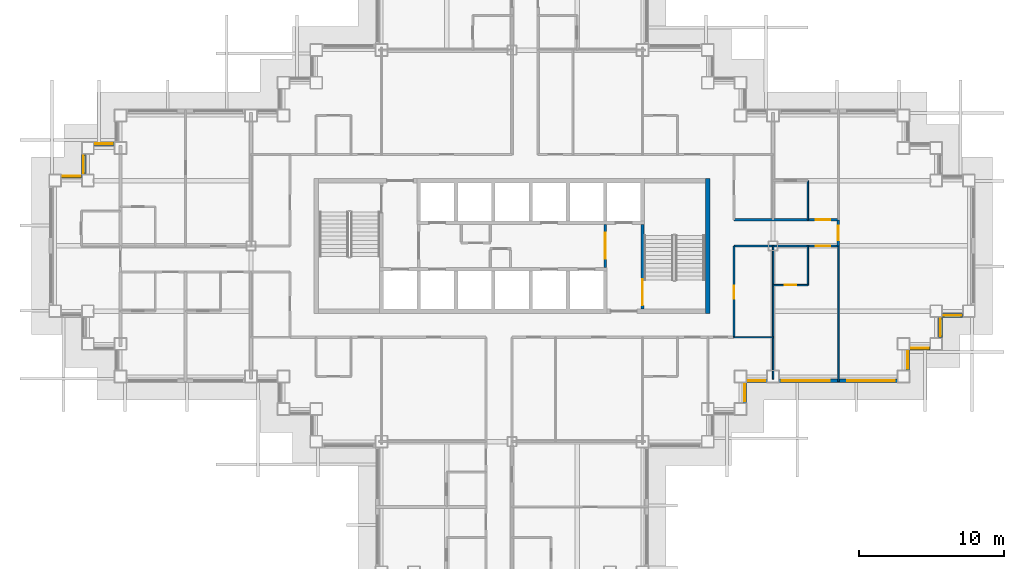
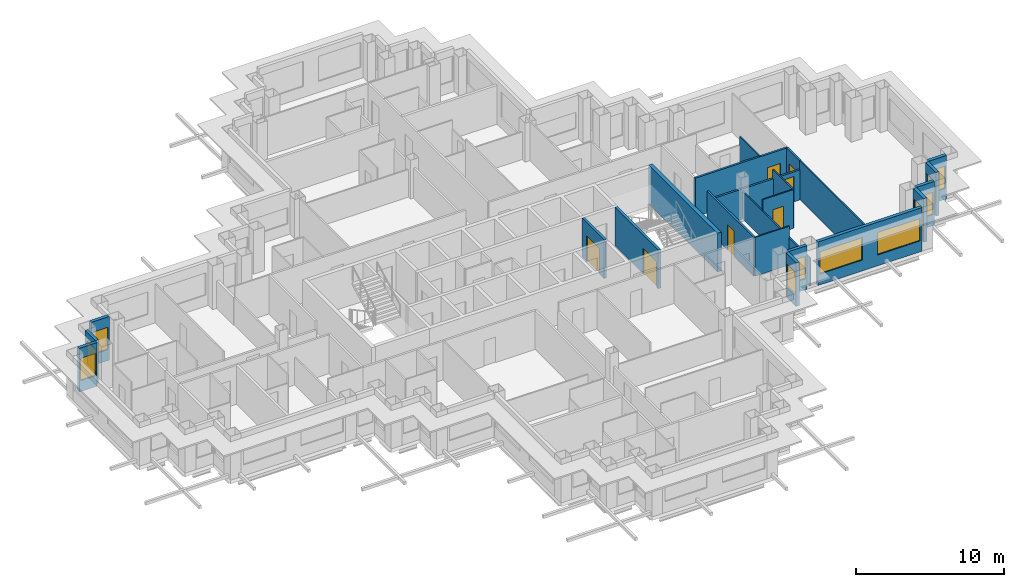
# One storey, part 8 of 17: 23 walls, 11 windows, 7 doors, 18 openings.
"""IFC4 building model written with IfcOpenShell, lengths in metres."""

from ifc_helpers import new_model, si_unit, direction, frame, frame_2d, origin, place, context, subcontext, project, spatial, rectangle, extrude, material, layer, layer_set, type_object, element, fill, save


model = new_model("IFC4")

# Units and contexts
model_context = context("Model", 3, precision=1e-05, world=origin(), true_north=direction((0.0, 1.0)))
body_context = subcontext(model_context, "Body", "Model", "MODEL_VIEW")
ifc_project = project(units=[si_unit("LENGTHUNIT", "METRE"), si_unit("AREAUNIT", "SQUARE_METRE"), si_unit("VOLUMEUNIT", "CUBIC_METRE"), si_unit("PLANEANGLEUNIT", "RADIAN"), si_unit("MASSUNIT", "GRAM", prefix="KILO")], contexts=[model_context])

# Site, building, storey
site_placement = place(None, origin())
site = spatial("IfcSite", under=ifc_project, at=site_placement, CompositionType="ELEMENT")
building_placement = place(site_placement, origin())
building = spatial("IfcBuilding", under=site, at=building_placement, Name="Caravel Reach Hotel and Residences", CompositionType="ELEMENT")
storey_placement = place(building_placement, frame((0.0, 0.0, 136.800048828125)))
storey = spatial("IfcBuildingStorey", under=building, at=storey_placement, Name="L34", CompositionType="ELEMENT", Elevation=136.800048828125)

# Wall, opening, door
ifc_material_1 = material(Name="Gypsum board on steel stud", Category="steel")
ifc_layer_1 = layer(ifc_material_1, 0.10009765625)
ifc_layer_set_1 = layer_set([ifc_layer_1], Name="Bathroom pod wall 100 mm")
wall_type_1 = type_object("IfcWallType", Name="Bathroom pod wall 100 mm", PredefinedType="PARTITIONING", material=ifc_layer_set_1)
wall_1_placement = place(storey_placement, frame((49.5, 24.300048828125, 0.0), z_axis=(0.0, 0.0, 1.0), x_axis=(1.0, 0.0, 0.0)))
wall_1 = element("IfcWall", 1, at=wall_1_placement, inside=storey, type_object=wall_type_1, Name="L34 wall w087", PredefinedType="PARTITIONING", context=body_context, shape_type="SweptSolid", body=[
    extrude(rectangle(XDim=2.39990234375, YDim=0.10009765625, at=frame_2d((1.199951171875, 0.0))), origin(), (0.0, 0.0, 1.0), 3.199951171875),
])
opening_1_placement = place(wall_1_placement, frame((0.800048828125, 0.0, 0.0)))
opening_1 = element("IfcOpeningElement", 2, at=opening_1_placement, cuts=wall_1, Name="Opening D34-024", PredefinedType="OPENING", context=body_context, shape_type="SweptSolid", body=[
    extrude(rectangle(XDim=0.800048828125, YDim=2.10009765625, at=frame_2d((0.39990234375, 1.050048828125))), frame((0.0, 0.06005859375, 0.0), z_axis=(0.0, -1.0, 0.0), x_axis=(1.0, 0.0, 0.0)), (0.0, 0.0, 1.0), 0.1201171875),
])
ifc_material_2 = material(Name="Timber and steel door leaf", Category="steel")
door_type_1 = type_object("IfcDoorType", Name="Bathroom door 800 x 2100", OperationType="SINGLE_SWING_LEFT", PredefinedType="DOOR", material=ifc_material_2)
door_1_placement = place(opening_1_placement, origin())
door_1 = element("IfcDoor", 3, at=door_1_placement, inside=storey, type_object=door_type_1, Name="door D34-024", OperationType="SINGLE_SWING_RIGHT", OverallHeight=2.10009765625, OverallWidth=0.800048828125, PredefinedType="DOOR", context=body_context, shape_type="SweptSolid", body=[
    extrude(rectangle(XDim=0.800048828125, YDim=2.10009765625, at=frame_2d((0.39990234375, 1.050048828125))), frame((0.0, 0.02490234375, 0.0), z_axis=(0.0, -1.0, 0.0), x_axis=(1.0, 0.0, 0.0)), (0.0, 0.0, 1.0), 0.050048828125),
])
fill(opening_1, door_1)

# Walls
for number, where, z_axis, x_axis, name in (
    (4, (51.89990234375, 28.800048828125, 0.0), (0.0, 0.0, 1.0), (0.0, 1.0, 0.0), "L34 wall w117"),
    (5, (51.89990234375, 24.300048828125, 0.0), (0.0, 0.0, 1.0), (0.0, 1.0, 0.0), "L34 wall w118"),
):
    element("IfcWall", number, at=place(storey_placement, frame(where, z_axis=z_axis, x_axis=x_axis)), inside=storey, type_object=wall_type_1, Name=name, PredefinedType="PARTITIONING", context=body_context, shape_type="SweptSolid", body=[
        extrude(rectangle(XDim=2.699951171875, YDim=0.10009765625, at=frame_2d((1.35009765625, 0.0))), origin(), (0.0, 0.0, 1.0), 3.199951171875),
    ])
ifc_material_3 = material(Name="Concrete C60", Category="concrete")
ifc_layer_2 = layer(ifc_material_3, 0.300048828125)
ifc_layer_set_2 = layer_set([ifc_layer_2], Name="Core wall 300 mm EI 120")
wall_type_2 = type_object("IfcWallType", Name="Core wall 300 mm EI 120", PredefinedType="SHEAR", material=ifc_layer_set_2)
wall_2_placement = place(storey_placement, frame((45.0, 22.35009765625, 0.0), z_axis=(0.0, 0.0, 1.0), x_axis=(0.0, 1.0, 0.0)))
element("IfcWall", 6, at=wall_2_placement, inside=storey, type_object=wall_type_2, Name="L34 core wall E", PredefinedType="SHEAR", context=body_context, shape_type="SweptSolid", body=[
    extrude(rectangle(XDim=9.2998046875, YDim=0.300048828125, at=frame_2d((4.64990234375, 0.0))), origin(), (0.0, 0.0, 1.0), 3.199951171875),
])

# Wall, opening, door
ifc_material_4 = material(Name="Gypsum board on steel stud, fire-rated", Category="steel")
ifc_layer_3 = layer(ifc_material_4, 0.14990234375)
ifc_layer_set_3 = layer_set([ifc_layer_3], Name="Corridor wall 150 mm EI 60")
wall_type_3 = type_object("IfcWallType", Name="Corridor wall 150 mm EI 60", PredefinedType="PARTITIONING", material=ifc_layer_set_3)
wall_3_placement = place(storey_placement, frame((46.800048828125, 27.0, 0.0), z_axis=(0.0, 0.0, 1.0), x_axis=(1.0, 0.0, 0.0)))
wall_3 = element("IfcWall", 7, at=wall_3_placement, inside=storey, type_object=wall_type_3, Name="L34 wall w011", PredefinedType="PARTITIONING", context=body_context, shape_type="SweptSolid", body=[
    extrude(rectangle(XDim=7.199951171875, YDim=0.14990234375, at=frame_2d((3.60009765625, 0.0))), origin(), (0.0, 0.0, 1.0), 2.47998046875),
])
opening_2_placement = place(wall_3_placement, frame((5.64990234375, 0.0, 0.0)))
opening_2 = element("IfcOpeningElement", 8, at=opening_2_placement, cuts=wall_3, Name="Opening D34-023", PredefinedType="OPENING", context=body_context, shape_type="SweptSolid", body=[
    extrude(rectangle(XDim=1.0, YDim=2.10009765625, at=frame_2d((0.5, 1.050048828125))), frame((0.0, 0.0849609375, 0.0), z_axis=(0.0, -1.0, 0.0), x_axis=(1.0, 0.0, 0.0)), (0.0, 0.0, 1.0), 0.169921875),
])
ifc_material_5 = material(Name="Steel fire door leaf", Category="steel")
door_type_2 = type_object("IfcDoorType", Name="Guest room door 1000 x 2100 EI 30", OperationType="SINGLE_SWING_LEFT", PredefinedType="DOOR", material=ifc_material_5)
door_2_placement = place(opening_2_placement, origin())
door_2 = element("IfcDoor", 9, at=door_2_placement, inside=storey, type_object=door_type_2, Name="door D34-023", OperationType="SINGLE_SWING_RIGHT", OverallHeight=2.10009765625, OverallWidth=1.0, PredefinedType="DOOR", context=body_context, shape_type="SweptSolid", body=[
    extrude(rectangle(XDim=1.0, YDim=2.10009765625, at=frame_2d((0.5, 1.050048828125))), frame((0.0, 0.02490234375, 0.0), z_axis=(0.0, -1.0, 0.0), x_axis=(1.0, 0.0, 0.0)), (0.0, 0.0, 1.0), 0.050048828125),
])
fill(opening_2, door_2)

wall_4_placement = place(storey_placement, frame((46.800048828125, 28.800048828125, 0.0), z_axis=(0.0, 0.0, 1.0), x_axis=(1.0, 0.0, 0.0)))
wall_4 = element("IfcWall", 10, at=wall_4_placement, inside=storey, type_object=wall_type_3, Name="L34 wall w016", PredefinedType="PARTITIONING", context=body_context, shape_type="SweptSolid", body=[
    extrude(rectangle(XDim=7.199951171875, YDim=0.14990234375, at=frame_2d((3.60009765625, 0.0))), origin(), (0.0, 0.0, 1.0), 3.199951171875),
])
opening_3_placement = place(wall_4_placement, frame((5.64990234375, 0.0, 0.0)))
opening_3 = element("IfcOpeningElement", 11, at=opening_3_placement, cuts=wall_4, Name="Opening D34-025", PredefinedType="OPENING", context=body_context, shape_type="SweptSolid", body=[
    extrude(rectangle(XDim=1.0, YDim=2.10009765625, at=frame_2d((0.5, 1.050048828125))), frame((0.0, 0.0849609375, 0.0), z_axis=(0.0, -1.0, 0.0), x_axis=(1.0, 0.0, 0.0)), (0.0, 0.0, 1.0), 0.169921875),
])
door_3_placement = place(opening_3_placement, origin())
door_3 = element("IfcDoor", 12, at=door_3_placement, inside=storey, type_object=door_type_2, Name="door D34-025", OperationType="SINGLE_SWING_RIGHT", OverallHeight=2.10009765625, OverallWidth=1.0, PredefinedType="DOOR", context=body_context, shape_type="SweptSolid", body=[
    extrude(rectangle(XDim=1.0, YDim=2.10009765625, at=frame_2d((0.5, 1.050048828125))), frame((0.0, 0.02490234375, 0.0), z_axis=(0.0, -1.0, 0.0), x_axis=(1.0, 0.0, 0.0)), (0.0, 0.0, 1.0), 0.050048828125),
])
fill(opening_3, door_3)

wall_5_placement = place(storey_placement, frame((46.800048828125, 20.699951171875, 0.0), z_axis=(0.0, 0.0, 1.0), x_axis=(0.0, 1.0, 0.0)))
wall_5 = element("IfcWall", 13, at=wall_5_placement, inside=storey, type_object=wall_type_3, Name="L34 wall w040", PredefinedType="PARTITIONING", context=body_context, shape_type="SweptSolid", body=[
    extrude(rectangle(XDim=6.300048828125, YDim=0.14990234375, at=frame_2d((3.14990234375, 0.0))), origin(), (0.0, 0.0, 1.0), 3.199951171875),
])
opening_4_placement = place(wall_5_placement, frame((2.64990234375, 0.0, 0.0)))
opening_4 = element("IfcOpeningElement", 14, at=opening_4_placement, cuts=wall_5, Name="Opening D34-065", PredefinedType="OPENING", context=body_context, shape_type="SweptSolid", body=[
    extrude(rectangle(XDim=0.89990234375, YDim=2.10009765625, at=frame_2d((0.449951171875, 1.050048828125))), frame((0.0, 0.0849609375, 0.0), z_axis=(0.0, -1.0, 0.0), x_axis=(1.0, 0.0, 0.0)), (0.0, 0.0, 1.0), 0.169921875),
])
ifc_material_6 = material(Name="Timber and steel door leaf", Category="steel")
door_type_3 = type_object("IfcDoorType", Name="Door 900 x 2100 timber", OperationType="SINGLE_SWING_LEFT", PredefinedType="DOOR", material=ifc_material_6)
door_4_placement = place(opening_4_placement, origin())
door_4 = element("IfcDoor", 15, at=door_4_placement, inside=storey, type_object=door_type_3, Name="door D34-065", OperationType="SINGLE_SWING_RIGHT", OverallHeight=2.10009765625, OverallWidth=0.89990234375, PredefinedType="DOOR", context=body_context, shape_type="SweptSolid", body=[
    extrude(rectangle(XDim=0.89990234375, YDim=2.10009765625, at=frame_2d((0.449951171875, 1.050048828125))), frame((0.0, 0.02490234375, 0.0), z_axis=(0.0, -1.0, 0.0), x_axis=(1.0, 0.0, 0.0)), (0.0, 0.0, 1.0), 0.050048828125),
])
fill(opening_4, door_4)

wall_6_placement = place(storey_placement, frame((54.0, 27.0, 0.0), z_axis=(0.0, 0.0, 1.0), x_axis=(0.0, 1.0, 0.0)))
wall_6 = element("IfcWall", 16, at=wall_6_placement, inside=storey, type_object=wall_type_3, Name="L34 wall w041", PredefinedType="PARTITIONING", context=body_context, shape_type="SweptSolid", body=[
    extrude(rectangle(XDim=1.800048828125, YDim=0.14990234375, at=frame_2d((0.89990234375, 0.0))), origin(), (0.0, 0.0, 1.0), 3.199951171875),
])
opening_5_placement = place(wall_6_placement, frame((0.39990234375, 0.0, 0.0)))
opening_5 = element("IfcOpeningElement", 17, at=opening_5_placement, cuts=wall_6, Name="Opening D34-044", PredefinedType="OPENING", context=body_context, shape_type="SweptSolid", body=[
    extrude(rectangle(XDim=1.0, YDim=2.10009765625, at=frame_2d((0.5, 1.050048828125))), frame((0.0, 0.0849609375, 0.0), z_axis=(0.0, -1.0, 0.0), x_axis=(1.0, 0.0, 0.0)), (0.0, 0.0, 1.0), 0.169921875),
])
door_5_placement = place(opening_5_placement, origin())
door_5 = element("IfcDoor", 18, at=door_5_placement, inside=storey, type_object=door_type_2, Name="door D34-044", OperationType="SINGLE_SWING_LEFT", OverallHeight=2.10009765625, OverallWidth=1.0, PredefinedType="DOOR", context=body_context, shape_type="SweptSolid", body=[
    extrude(rectangle(XDim=1.0, YDim=2.10009765625, at=frame_2d((0.5, 1.050048828125))), frame((0.0, 0.02490234375, 0.0), z_axis=(0.0, -1.0, 0.0), x_axis=(1.0, 0.0, 0.0)), (0.0, 0.0, 1.0), 0.050048828125),
])
fill(opening_5, door_5)

# Wall, opening, window
ifc_material_7 = material(Name="Insulated rainscreen wall, aluminium cladding", Category="aluminium")
ifc_layer_4 = layer(ifc_material_7, 0.25)
ifc_layer_set_4 = layer_set([ifc_layer_4], Name="EW1 Tower rainscreen wall")
wall_type_4 = type_object("IfcWallType", Name="EW1 Tower rainscreen wall", PredefinedType="SOLIDWALL", material=ifc_layer_set_4)
wall_7_placement = place(storey_placement, frame((47.550048828125, 16.175048828125, 0.0), z_axis=(0.0, 0.0, 1.0), x_axis=(0.0, 1.0, 0.0)))
wall_7 = element("IfcWall", 19, at=wall_7_placement, inside=storey, type_object=wall_type_4, Name="External wall L34 E14.1", PredefinedType="SOLIDWALL", context=body_context, shape_type="SweptSolid", body=[
    extrude(rectangle(XDim=1.39990234375, YDim=0.25, at=frame_2d((0.699951171875, 0.0))), origin(), (0.0, 0.0, 1.0), 3.599853515625),
])
opening_6_placement = place(wall_7_placement, frame((0.10009765625, 0.0, 0.89990234375)))
opening_6 = element("IfcOpeningElement", 20, at=opening_6_placement, cuts=wall_7, Name="Opening WN10", PredefinedType="OPENING", context=body_context, shape_type="SweptSolid", body=[
    extrude(rectangle(XDim=1.199951171875, YDim=1.85009765625, at=frame_2d((0.60009765625, 0.925048828125))), frame((0.0, 0.135009765625, 0.0), z_axis=(0.0, -1.0, 0.0), x_axis=(1.0, 0.0, 0.0)), (0.0, 0.0, 1.0), 0.27001953125),
])
ifc_material_8 = material(Name="Dark low-e glazing in black aluminium frame", Category="aluminium")
window_type_1 = type_object("IfcWindowType", Name="Hotel suite corner window 1200 x 1850", PartitioningType="SINGLE_PANEL", PredefinedType="WINDOW", material=ifc_material_8)
window_1_placement = place(opening_6_placement, origin())
window_1 = element("IfcWindow", 21, at=window_1_placement, inside=storey, type_object=window_type_1, Name="Window L34 E14.1.1", OverallHeight=1.85009765625, OverallWidth=1.199951171875, PartitioningType="SINGLE_PANEL", PredefinedType="WINDOW", context=body_context, shape_type="SweptSolid", body=[
    extrude(rectangle(XDim=1.199951171875, YDim=1.85009765625, at=frame_2d((0.60009765625, 0.925048828125))), frame((0.0, 0.030029296875, 0.0), z_axis=(0.0, -1.0, 0.0), x_axis=(1.0, 0.0, 0.0)), (0.0, 0.0, 1.0), 0.06005859375),
])
fill(opening_6, window_1)

wall_8_placement = place(storey_placement, frame((47.675048828125, 17.699951171875, 0.0), z_axis=(0.0, 0.0, 1.0), x_axis=(1.0, 0.0, 0.0)))
wall_8 = element("IfcWall", 22, at=wall_8_placement, inside=storey, type_object=wall_type_4, Name="External wall L34 S15.1", PredefinedType="SOLIDWALL", context=body_context, shape_type="SweptSolid", body=[
    extrude(rectangle(XDim=1.39990234375, YDim=0.25, at=frame_2d((0.699951171875, 0.0))), origin(), (0.0, 0.0, 1.0), 3.599853515625),
])
opening_7_placement = place(wall_8_placement, frame((0.10009765625, 0.0, 0.89990234375)))
opening_7 = element("IfcOpeningElement", 23, at=opening_7_placement, cuts=wall_8, Name="Opening WN10", PredefinedType="OPENING", context=body_context, shape_type="SweptSolid", body=[
    extrude(rectangle(XDim=1.199951171875, YDim=1.85009765625, at=frame_2d((0.60009765625, 0.925048828125))), frame((0.0, 0.135009765625, 0.0), z_axis=(0.0, -1.0, 0.0), x_axis=(1.0, 0.0, 0.0)), (0.0, 0.0, 1.0), 0.27001953125),
])
window_2_placement = place(opening_7_placement, origin())
window_2 = element("IfcWindow", 24, at=window_2_placement, inside=storey, type_object=window_type_1, Name="Window L34 S15.1.1", OverallHeight=1.85009765625, OverallWidth=1.199951171875, PartitioningType="SINGLE_PANEL", PredefinedType="WINDOW", context=body_context, shape_type="SweptSolid", body=[
    extrude(rectangle(XDim=1.199951171875, YDim=1.85009765625, at=frame_2d((0.60009765625, 0.925048828125))), frame((0.0, 0.030029296875, 0.0), z_axis=(0.0, -1.0, 0.0), x_axis=(1.0, 0.0, 0.0)), (0.0, 0.0, 1.0), 0.06005859375),
])
fill(opening_7, window_2)

# Wall, openings, windows
wall_9_placement = place(storey_placement, frame((49.925048828125, 17.699951171875, 0.0), z_axis=(0.0, 0.0, 1.0), x_axis=(1.0, 0.0, 0.0)))
wall_9 = element("IfcWall", 25, at=wall_9_placement, inside=storey, type_object=wall_type_4, Name="External wall L34 S15.2", PredefinedType="SOLIDWALL", context=body_context, shape_type="SweptSolid", body=[
    extrude(rectangle(XDim=8.14990234375, YDim=0.25, at=frame_2d((4.074951171875, 0.0))), origin(), (0.0, 0.0, 1.0), 3.599853515625),
])
opening_8_placement = place(wall_9_placement, frame((0.175048828125, 0.0, 0.89990234375)))
opening_8 = element("IfcOpeningElement", 26, at=opening_8_placement, cuts=wall_9, Name="Opening WN7", PredefinedType="OPENING", context=body_context, shape_type="SweptSolid", body=[
    extrude(rectangle(XDim=3.300048828125, YDim=1.85009765625, at=frame_2d((1.64990234375, 0.925048828125))), frame((0.0, 0.135009765625, 0.0), z_axis=(0.0, -1.0, 0.0), x_axis=(1.0, 0.0, 0.0)), (0.0, 0.0, 1.0), 0.27001953125),
])
opening_9_placement = place(wall_9_placement, frame((4.675048828125, 0.0, 0.89990234375)))
opening_9 = element("IfcOpeningElement", 27, at=opening_9_placement, cuts=wall_9, Name="Opening WN7", PredefinedType="OPENING", context=body_context, shape_type="SweptSolid", body=[
    extrude(rectangle(XDim=3.300048828125, YDim=1.85009765625, at=frame_2d((1.64990234375, 0.925048828125))), frame((0.0, 0.135009765625, 0.0), z_axis=(0.0, -1.0, 0.0), x_axis=(1.0, 0.0, 0.0)), (0.0, 0.0, 1.0), 0.27001953125),
])
ifc_material_9 = material(Name="Dark low-e glazing in black aluminium frame", Category="aluminium")
window_type_2 = type_object("IfcWindowType", Name="Hotel guest room window 3300 x 1850", PartitioningType="SINGLE_PANEL", PredefinedType="WINDOW", material=ifc_material_9)
window_3_placement = place(opening_8_placement, origin())
window_3 = element("IfcWindow", 28, at=window_3_placement, inside=storey, type_object=window_type_2, Name="Window L34 S15.2.1", OverallHeight=1.85009765625, OverallWidth=3.300048828125, PartitioningType="SINGLE_PANEL", PredefinedType="WINDOW", context=body_context, shape_type="SweptSolid", body=[
    extrude(rectangle(XDim=3.300048828125, YDim=1.85009765625, at=frame_2d((1.64990234375, 0.925048828125))), frame((0.0, 0.030029296875, 0.0), z_axis=(0.0, -1.0, 0.0), x_axis=(1.0, 0.0, 0.0)), (0.0, 0.0, 1.0), 0.06005859375),
])
fill(opening_8, window_3)
window_4_placement = place(opening_9_placement, origin())
window_4 = element("IfcWindow", 29, at=window_4_placement, inside=storey, type_object=window_type_2, Name="Window L34 S15.2.2", OverallHeight=1.85009765625, OverallWidth=3.300048828125, PartitioningType="SINGLE_PANEL", PredefinedType="WINDOW", context=body_context, shape_type="SweptSolid", body=[
    extrude(rectangle(XDim=3.300048828125, YDim=1.85009765625, at=frame_2d((1.64990234375, 0.925048828125))), frame((0.0, 0.030029296875, 0.0), z_axis=(0.0, -1.0, 0.0), x_axis=(1.0, 0.0, 0.0)), (0.0, 0.0, 1.0), 0.06005859375),
])
fill(opening_9, window_4)

# Wall, opening, window
wall_10_placement = place(storey_placement, frame((58.800048828125, 18.425048828125, 0.0), z_axis=(0.0, 0.0, 1.0), x_axis=(0.0, 1.0, 0.0)))
wall_10 = element("IfcWall", 30, at=wall_10_placement, inside=storey, type_object=wall_type_4, Name="External wall L34 E16.1", PredefinedType="SOLIDWALL", context=body_context, shape_type="SweptSolid", body=[
    extrude(rectangle(XDim=1.39990234375, YDim=0.25, at=frame_2d((0.699951171875, 0.0))), origin(), (0.0, 0.0, 1.0), 3.599853515625),
])
opening_10_placement = place(wall_10_placement, frame((0.10009765625, 0.0, 0.89990234375)))
opening_10 = element("IfcOpeningElement", 31, at=opening_10_placement, cuts=wall_10, Name="Opening WN10", PredefinedType="OPENING", context=body_context, shape_type="SweptSolid", body=[
    extrude(rectangle(XDim=1.199951171875, YDim=1.85009765625, at=frame_2d((0.60009765625, 0.925048828125))), frame((0.0, 0.135009765625, 0.0), z_axis=(0.0, -1.0, 0.0), x_axis=(1.0, 0.0, 0.0)), (0.0, 0.0, 1.0), 0.27001953125),
])
window_5_placement = place(opening_10_placement, origin())
window_5 = element("IfcWindow", 32, at=window_5_placement, inside=storey, type_object=window_type_1, Name="Window L34 E16.1.1", OverallHeight=1.85009765625, OverallWidth=1.199951171875, PartitioningType="SINGLE_PANEL", PredefinedType="WINDOW", context=body_context, shape_type="SweptSolid", body=[
    extrude(rectangle(XDim=1.199951171875, YDim=1.85009765625, at=frame_2d((0.60009765625, 0.925048828125))), frame((0.0, 0.030029296875, 0.0), z_axis=(0.0, -1.0, 0.0), x_axis=(1.0, 0.0, 0.0)), (0.0, 0.0, 1.0), 0.06005859375),
])
fill(opening_10, window_5)

wall_11_placement = place(storey_placement, frame((58.925048828125, 19.949951171875, 0.0), z_axis=(0.0, 0.0, 1.0), x_axis=(1.0, 0.0, 0.0)))
wall_11 = element("IfcWall", 33, at=wall_11_placement, inside=storey, type_object=wall_type_4, Name="External wall L34 S17.1", PredefinedType="SOLIDWALL", context=body_context, shape_type="SweptSolid", body=[
    extrude(rectangle(XDim=1.39990234375, YDim=0.25, at=frame_2d((0.699951171875, 0.0))), origin(), (0.0, 0.0, 1.0), 3.599853515625),
])
opening_11_placement = place(wall_11_placement, frame((0.10009765625, 0.0, 0.89990234375)))
opening_11 = element("IfcOpeningElement", 34, at=opening_11_placement, cuts=wall_11, Name="Opening WN10", PredefinedType="OPENING", context=body_context, shape_type="SweptSolid", body=[
    extrude(rectangle(XDim=1.199951171875, YDim=1.85009765625, at=frame_2d((0.60009765625, 0.925048828125))), frame((0.0, 0.135009765625, 0.0), z_axis=(0.0, -1.0, 0.0), x_axis=(1.0, 0.0, 0.0)), (0.0, 0.0, 1.0), 0.27001953125),
])
window_6_placement = place(opening_11_placement, origin())
window_6 = element("IfcWindow", 35, at=window_6_placement, inside=storey, type_object=window_type_1, Name="Window L34 S17.1.1", OverallHeight=1.85009765625, OverallWidth=1.199951171875, PartitioningType="SINGLE_PANEL", PredefinedType="WINDOW", context=body_context, shape_type="SweptSolid", body=[
    extrude(rectangle(XDim=1.199951171875, YDim=1.85009765625, at=frame_2d((0.60009765625, 0.925048828125))), frame((0.0, 0.030029296875, 0.0), z_axis=(0.0, -1.0, 0.0), x_axis=(1.0, 0.0, 0.0)), (0.0, 0.0, 1.0), 0.06005859375),
])
fill(opening_11, window_6)

wall_12_placement = place(storey_placement, frame((61.050048828125, 20.675048828125, 0.0), z_axis=(0.0, 0.0, 1.0), x_axis=(0.0, 1.0, 0.0)))
wall_12 = element("IfcWall", 36, at=wall_12_placement, inside=storey, type_object=wall_type_4, Name="External wall L34 E18.1", PredefinedType="SOLIDWALL", context=body_context, shape_type="SweptSolid", body=[
    extrude(rectangle(XDim=1.39990234375, YDim=0.25, at=frame_2d((0.699951171875, 0.0))), origin(), (0.0, 0.0, 1.0), 3.599853515625),
])
opening_12_placement = place(wall_12_placement, frame((0.10009765625, 0.0, 0.89990234375)))
opening_12 = element("IfcOpeningElement", 37, at=opening_12_placement, cuts=wall_12, Name="Opening WN10", PredefinedType="OPENING", context=body_context, shape_type="SweptSolid", body=[
    extrude(rectangle(XDim=1.199951171875, YDim=1.85009765625, at=frame_2d((0.60009765625, 0.925048828125))), frame((0.0, 0.135009765625, 0.0), z_axis=(0.0, -1.0, 0.0), x_axis=(1.0, 0.0, 0.0)), (0.0, 0.0, 1.0), 0.27001953125),
])
window_7_placement = place(opening_12_placement, origin())
window_7 = element("IfcWindow", 38, at=window_7_placement, inside=storey, type_object=window_type_1, Name="Window L34 E18.1.1", OverallHeight=1.85009765625, OverallWidth=1.199951171875, PartitioningType="SINGLE_PANEL", PredefinedType="WINDOW", context=body_context, shape_type="SweptSolid", body=[
    extrude(rectangle(XDim=1.199951171875, YDim=1.85009765625, at=frame_2d((0.60009765625, 0.925048828125))), frame((0.0, 0.030029296875, 0.0), z_axis=(0.0, -1.0, 0.0), x_axis=(1.0, 0.0, 0.0)), (0.0, 0.0, 1.0), 0.06005859375),
])
fill(opening_12, window_7)

wall_13_placement = place(storey_placement, frame((61.175048828125, 22.199951171875, 0.0), z_axis=(0.0, 0.0, 1.0), x_axis=(1.0, 0.0, 0.0)))
wall_13 = element("IfcWall", 39, at=wall_13_placement, inside=storey, type_object=wall_type_4, Name="External wall L34 S19.1", PredefinedType="SOLIDWALL", context=body_context, shape_type="SweptSolid", body=[
    extrude(rectangle(XDim=1.39990234375, YDim=0.25, at=frame_2d((0.699951171875, 0.0))), origin(), (0.0, 0.0, 1.0), 3.599853515625),
])
opening_13_placement = place(wall_13_placement, frame((0.10009765625, 0.0, 0.89990234375)))
opening_13 = element("IfcOpeningElement", 40, at=opening_13_placement, cuts=wall_13, Name="Opening WN10", PredefinedType="OPENING", context=body_context, shape_type="SweptSolid", body=[
    extrude(rectangle(XDim=1.199951171875, YDim=1.85009765625, at=frame_2d((0.60009765625, 0.925048828125))), frame((0.0, 0.135009765625, 0.0), z_axis=(0.0, -1.0, 0.0), x_axis=(1.0, 0.0, 0.0)), (0.0, 0.0, 1.0), 0.27001953125),
])
window_8_placement = place(opening_13_placement, origin())
window_8 = element("IfcWindow", 41, at=window_8_placement, inside=storey, type_object=window_type_1, Name="Window L34 S19.1.1", OverallHeight=1.85009765625, OverallWidth=1.199951171875, PartitioningType="SINGLE_PANEL", PredefinedType="WINDOW", context=body_context, shape_type="SweptSolid", body=[
    extrude(rectangle(XDim=1.199951171875, YDim=1.85009765625, at=frame_2d((0.60009765625, 0.925048828125))), frame((0.0, 0.030029296875, 0.0), z_axis=(0.0, -1.0, 0.0), x_axis=(1.0, 0.0, 0.0)), (0.0, 0.0, 1.0), 0.06005859375),
])
fill(opening_13, window_8)

wall_14_placement = place(storey_placement, frame((4.074951171875, 34.050048828125, 0.0), z_axis=(0.0, 0.0, 1.0), x_axis=(-1.0, 0.0, 0.0)))
wall_14 = element("IfcWall", 42, at=wall_14_placement, inside=storey, type_object=wall_type_4, Name="External wall L34 N47.1", PredefinedType="SOLIDWALL", context=body_context, shape_type="SweptSolid", body=[
    extrude(rectangle(XDim=1.39990234375, YDim=0.25, at=frame_2d((0.699951171875, 0.0))), origin(), (0.0, 0.0, 1.0), 3.599853515625),
])
opening_14_placement = place(wall_14_placement, frame((0.10009765625, 0.0, 0.89990234375)))
opening_14 = element("IfcOpeningElement", 43, at=opening_14_placement, cuts=wall_14, Name="Opening WN10", PredefinedType="OPENING", context=body_context, shape_type="SweptSolid", body=[
    extrude(rectangle(XDim=1.199951171875, YDim=1.85009765625, at=frame_2d((0.60009765625, 0.925048828125))), frame((0.0, 0.135009765625, 0.0), z_axis=(0.0, -1.0, 0.0), x_axis=(1.0, 0.0, 0.0)), (0.0, 0.0, 1.0), 0.27001953125),
])
window_9_placement = place(opening_14_placement, origin())
window_9 = element("IfcWindow", 44, at=window_9_placement, inside=storey, type_object=window_type_1, Name="Window L34 N47.1.1", OverallHeight=1.85009765625, OverallWidth=1.199951171875, PartitioningType="SINGLE_PANEL", PredefinedType="WINDOW", context=body_context, shape_type="SweptSolid", body=[
    extrude(rectangle(XDim=1.199951171875, YDim=1.85009765625, at=frame_2d((0.60009765625, 0.925048828125))), frame((0.0, 0.030029296875, 0.0), z_axis=(0.0, -1.0, 0.0), x_axis=(1.0, 0.0, 0.0)), (0.0, 0.0, 1.0), 0.06005859375),
])
fill(opening_14, window_9)

wall_15_placement = place(storey_placement, frame((1.949951171875, 33.324951171875, 0.0), z_axis=(0.0, 0.0, 1.0), x_axis=(0.0, -1.0, 0.0)))
wall_15 = element("IfcWall", 45, at=wall_15_placement, inside=storey, type_object=wall_type_4, Name="External wall L34 W48.1", PredefinedType="SOLIDWALL", context=body_context, shape_type="SweptSolid", body=[
    extrude(rectangle(XDim=1.39990234375, YDim=0.25, at=frame_2d((0.699951171875, 0.0))), origin(), (0.0, 0.0, 1.0), 3.599853515625),
])
opening_15_placement = place(wall_15_placement, frame((0.10009765625, 0.0, 0.89990234375)))
opening_15 = element("IfcOpeningElement", 46, at=opening_15_placement, cuts=wall_15, Name="Opening WN10", PredefinedType="OPENING", context=body_context, shape_type="SweptSolid", body=[
    extrude(rectangle(XDim=1.199951171875, YDim=1.85009765625, at=frame_2d((0.60009765625, 0.925048828125))), frame((0.0, 0.135009765625, 0.0), z_axis=(0.0, -1.0, 0.0), x_axis=(1.0, 0.0, 0.0)), (0.0, 0.0, 1.0), 0.27001953125),
])
window_10_placement = place(opening_15_placement, origin())
window_10 = element("IfcWindow", 47, at=window_10_placement, inside=storey, type_object=window_type_1, Name="Window L34 W48.1.1", OverallHeight=1.85009765625, OverallWidth=1.199951171875, PartitioningType="SINGLE_PANEL", PredefinedType="WINDOW", context=body_context, shape_type="SweptSolid", body=[
    extrude(rectangle(XDim=1.199951171875, YDim=1.85009765625, at=frame_2d((0.60009765625, 0.925048828125))), frame((0.0, 0.030029296875, 0.0), z_axis=(0.0, -1.0, 0.0), x_axis=(1.0, 0.0, 0.0)), (0.0, 0.0, 1.0), 0.06005859375),
])
fill(opening_15, window_10)

wall_16_placement = place(storey_placement, frame((1.824951171875, 31.800048828125, 0.0), z_axis=(0.0, 0.0, 1.0), x_axis=(-1.0, 0.0, 0.0)))
wall_16 = element("IfcWall", 48, at=wall_16_placement, inside=storey, type_object=wall_type_4, Name="External wall L34 N49.1", PredefinedType="SOLIDWALL", context=body_context, shape_type="SweptSolid", body=[
    extrude(rectangle(XDim=1.39990234375, YDim=0.25, at=frame_2d((0.699951171875, 0.0))), origin(), (0.0, 0.0, 1.0), 3.599853515625),
])
opening_16_placement = place(wall_16_placement, frame((0.10009765625, 0.0, 0.89990234375)))
opening_16 = element("IfcOpeningElement", 49, at=opening_16_placement, cuts=wall_16, Name="Opening WN10", PredefinedType="OPENING", context=body_context, shape_type="SweptSolid", body=[
    extrude(rectangle(XDim=1.199951171875, YDim=1.85009765625, at=frame_2d((0.60009765625, 0.925048828125))), frame((0.0, 0.135009765625, 0.0), z_axis=(0.0, -1.0, 0.0), x_axis=(1.0, 0.0, 0.0)), (0.0, 0.0, 1.0), 0.27001953125),
])
window_11_placement = place(opening_16_placement, origin())
window_11 = element("IfcWindow", 50, at=window_11_placement, inside=storey, type_object=window_type_1, Name="Window L34 N49.1.1", OverallHeight=1.85009765625, OverallWidth=1.199951171875, PartitioningType="SINGLE_PANEL", PredefinedType="WINDOW", context=body_context, shape_type="SweptSolid", body=[
    extrude(rectangle(XDim=1.199951171875, YDim=1.85009765625, at=frame_2d((0.60009765625, 0.925048828125))), frame((0.0, 0.030029296875, 0.0), z_axis=(0.0, -1.0, 0.0), x_axis=(1.0, 0.0, 0.0)), (0.0, 0.0, 1.0), 0.06005859375),
])
fill(opening_16, window_11)

# Wall, opening, door
ifc_material_10 = material(Name="Autoclaved aerated block wall")
ifc_layer_5 = layer(ifc_material_10, 0.199951171875)
ifc_layer_set_5 = layer_set([ifc_layer_5], Name="Fire lobby wall 200 mm EI 120")
wall_type_5 = type_object("IfcWallType", Name="Fire lobby wall 200 mm EI 120", PredefinedType="PARTITIONING", material=ifc_layer_set_5)
wall_17_placement = place(storey_placement, frame((37.928466796875, 25.52490234375, 0.0), z_axis=(0.0, 0.0, 1.0), x_axis=(0.0, 1.0, 0.0)))
wall_17 = element("IfcWall", 51, at=wall_17_placement, inside=storey, type_object=wall_type_5, Name="L34 lobby E wall", PredefinedType="PARTITIONING", context=body_context, shape_type="SweptSolid", body=[
    extrude(rectangle(XDim=2.9501953125, YDim=0.199951171875, at=frame_2d((1.47509765625, 0.0))), origin(), (0.0, 0.0, 1.0), 3.199951171875),
])
opening_17_placement = place(wall_17_placement, frame((0.574951171875, 0.0, 0.0)))
opening_17 = element("IfcOpeningElement", 52, at=opening_17_placement, cuts=wall_17, Name="Opening D34-013", PredefinedType="OPENING", context=body_context, shape_type="SweptSolid", body=[
    extrude(rectangle(XDim=1.800048828125, YDim=2.10009765625, at=frame_2d((0.89990234375, 1.050048828125))), frame((0.0, 0.10986328125, 0.0), z_axis=(0.0, -1.0, 0.0), x_axis=(1.0, 0.0, 0.0)), (0.0, 0.0, 1.0), 0.219970703125),
])
ifc_material_11 = material(Name="Steel fire door leaf", Category="steel")
door_type_4 = type_object("IfcDoorType", Name="Fire lobby door pair 1800 x 2100 EI 90", OperationType="DOUBLE_DOOR_SINGLE_SWING", PredefinedType="DOOR", material=ifc_material_11)
door_6_placement = place(opening_17_placement, origin())
door_6 = element("IfcDoor", 53, at=door_6_placement, inside=storey, type_object=door_type_4, Name="lobby E door pair", OperationType="DOUBLE_DOOR_SINGLE_SWING", OverallHeight=2.10009765625, OverallWidth=1.800048828125, PredefinedType="DOOR", context=body_context, shape_type="SweptSolid", body=[
    extrude(rectangle(XDim=1.800048828125, YDim=2.10009765625, at=frame_2d((0.89990234375, 1.050048828125))), frame((0.0, 0.02490234375, 0.0), z_axis=(0.0, -1.0, 0.0), x_axis=(1.0, 0.0, 0.0)), (0.0, 0.0, 1.0), 0.050048828125),
])
fill(opening_17, door_6)

# Walls
ifc_material_12 = material(Name="Gypsum board on steel stud", Category="steel")
ifc_layer_6 = layer(ifc_material_12, 0.10009765625)
ifc_layer_set_6 = layer_set([ifc_layer_6], Name="Partition 100 mm")
wall_type_6 = type_object("IfcWallType", Name="Partition 100 mm", PredefinedType="PARTITIONING", material=ifc_layer_set_6)
wall_18_placement = place(storey_placement, frame((46.800048828125, 20.699951171875, 0.0), z_axis=(0.0, 0.0, 1.0), x_axis=(1.0, 0.0, 0.0)))
element("IfcWall", 54, at=wall_18_placement, inside=storey, type_object=wall_type_6, Name="L34 wall w046", PredefinedType="PARTITIONING", context=body_context, shape_type="SweptSolid", body=[
    extrude(rectangle(XDim=2.699951171875, YDim=0.10009765625, at=frame_2d((1.35009765625, 0.0))), origin(), (0.0, 0.0, 1.0), 3.199951171875),
])
wall_19_placement = place(storey_placement, frame((49.5, 17.81005859375, 0.0), z_axis=(0.0, 0.0, 1.0), x_axis=(0.0, 1.0, 0.0)))
element("IfcWall", 55, at=wall_19_placement, inside=storey, type_object=wall_type_6, Name="L34 wall w066", PredefinedType="PARTITIONING", context=body_context, shape_type="SweptSolid", body=[
    extrude(rectangle(XDim=9.18994140625, YDim=0.10009765625, at=frame_2d((4.594970703125, 0.0))), origin(), (0.0, 0.0, 1.0), 2.280029296875),
])
wall_20_placement = place(storey_placement, frame((54.0, 17.635009765625, 0.0), z_axis=(0.0, 0.0, 1.0), x_axis=(0.0, 1.0, 0.0)))
element("IfcWall", 56, at=wall_20_placement, inside=storey, type_object=wall_type_6, Name="L34 wall w068", PredefinedType="PARTITIONING", context=body_context, shape_type="SweptSolid", body=[
    extrude(rectangle(XDim=9.364990234375, YDim=0.10009765625, at=frame_2d((4.6826171875, 0.0))), origin(), (0.0, 0.0, 1.0), 3.199951171875),
])

# Wall, opening, door
ifc_material_13 = material(Name="Concrete C60", Category="concrete")
ifc_layer_7 = layer(ifc_material_13, 0.199951171875)
ifc_layer_set_7 = layer_set([ifc_layer_7], Name="Stair enclosure wall 200 mm EI 120")
wall_type_7 = type_object("IfcWallType", Name="Stair enclosure wall 200 mm EI 120", PredefinedType="SHEAR", material=ifc_layer_set_7)
wall_21_placement = place(storey_placement, frame((40.5, 22.64990234375, 0.0), z_axis=(0.0, 0.0, 1.0), x_axis=(0.0, 1.0, 0.0)))
wall_21 = element("IfcWall", 57, at=wall_21_placement, inside=storey, type_object=wall_type_7, Name="L34 stair B wall", PredefinedType="SHEAR", context=body_context, shape_type="SweptSolid", body=[
    extrude(rectangle(XDim=5.8251953125, YDim=0.199951171875, at=frame_2d((2.91259765625, 0.0))), origin(), (0.0, 0.0, 1.0), 3.199951171875),
])
opening_18_placement = place(wall_21_placement, frame((0.25, 0.0, 0.0)))
opening_18 = element("IfcOpeningElement", 58, at=opening_18_placement, cuts=wall_21, Name="Opening D34-011", PredefinedType="OPENING", context=body_context, shape_type="SweptSolid", body=[
    extrude(rectangle(XDim=1.800048828125, YDim=2.10009765625, at=frame_2d((0.89990234375, 1.050048828125))), frame((0.0, 0.10986328125, 0.0), z_axis=(0.0, -1.0, 0.0), x_axis=(1.0, 0.0, 0.0)), (0.0, 0.0, 1.0), 0.219970703125),
])
ifc_material_14 = material(Name="Steel fire door leaf", Category="steel")
door_type_5 = type_object("IfcDoorType", Name="Stair door pair 1800 x 2100 EI 90", OperationType="DOUBLE_DOOR_SINGLE_SWING", PredefinedType="DOOR", material=ifc_material_14)
door_7_placement = place(opening_18_placement, origin())
door_7 = element("IfcDoor", 59, at=door_7_placement, inside=storey, type_object=door_type_5, Name="stair B door pair", OperationType="DOUBLE_DOOR_SINGLE_SWING", OverallHeight=2.10009765625, OverallWidth=1.800048828125, PredefinedType="DOOR", context=body_context, shape_type="SweptSolid", body=[
    extrude(rectangle(XDim=1.800048828125, YDim=2.10009765625, at=frame_2d((0.89990234375, 1.050048828125))), frame((0.0, 0.02490234375, 0.0), z_axis=(0.0, -1.0, 0.0), x_axis=(1.0, 0.0, 0.0)), (0.0, 0.0, 1.0), 0.050048828125),
])
fill(opening_18, door_7)

save(model, "model.ifc")
